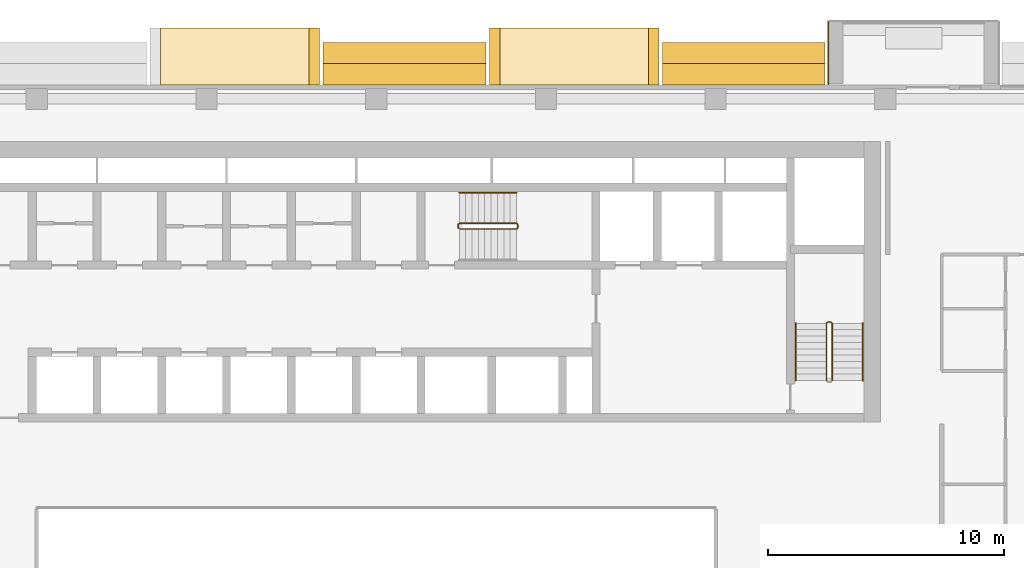
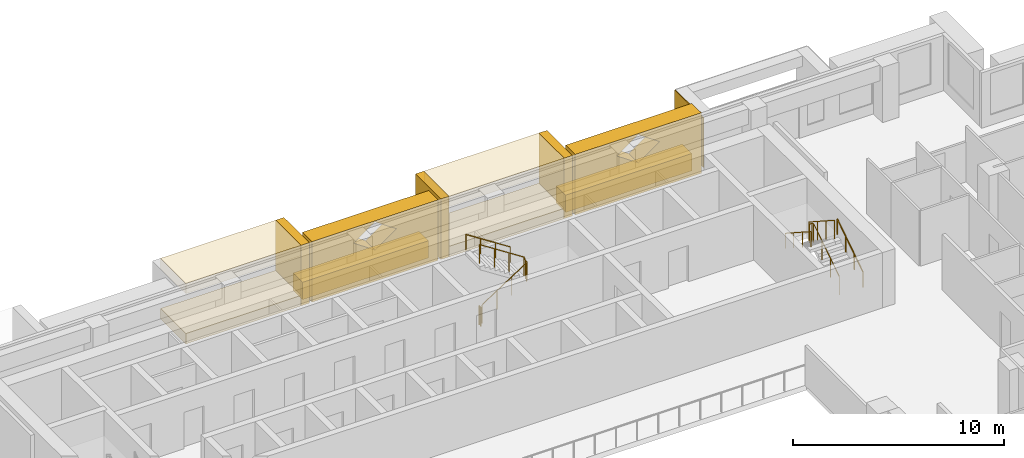
# One storey, part 18 of 19: 12 coverings, 6 railings.
"""IFC4 building model written with IfcOpenShell, lengths in metres."""

from ifc_helpers import new_model, si_unit, direction, frame, origin, origin_2d, place, context, subcontext, project, spatial, polyline, circle, outline, extrude, material, layer, layer_set, type_object, element, save


model = new_model("IFC4")

# Units and contexts
model_context = context("Model", 3, precision=1e-05, world=origin(), true_north=direction((0.0, 1.0)))
body_context = subcontext(model_context, "Body", "Model", "MODEL_VIEW")
ifc_project = project(units=[si_unit("LENGTHUNIT", "METRE"), si_unit("AREAUNIT", "SQUARE_METRE"), si_unit("VOLUMEUNIT", "CUBIC_METRE"), si_unit("PLANEANGLEUNIT", "RADIAN"), si_unit("MASSUNIT", "GRAM", prefix="KILO")], contexts=[model_context])

# Site, building, storey
site_placement = place(None, origin())
site = spatial("IfcSite", under=ifc_project, at=site_placement, CompositionType="ELEMENT")
building_placement = place(site_placement, origin())
building = spatial("IfcBuilding", under=site, at=building_placement, Name="Saffron Iwan Residences", CompositionType="ELEMENT")
storey_placement = place(building_placement, frame((0.0, 0.0, 120.0)))
storey = spatial("IfcBuildingStorey", under=building, at=storey_placement, Name="L31", CompositionType="ELEMENT", Elevation=120.0)

# Coverings
ifc_material_1 = material(Name="Precast concrete C40/50 white painted", Category="concrete")
ifc_layer_1 = layer(ifc_material_1, 0.050048828125)
ifc_layer_set_1 = layer_set([ifc_layer_1], Name="Precast concrete C40/50 white painted")
covering_type_1 = type_object("IfcCoveringType", Name="FRAME SKIN PRECAST WHITE 50", PredefinedType="CLADDING", material=ifc_layer_set_1)
covering_1_placement = place(storey_placement, origin())
element("IfcCovering", 1, at=covering_1_placement, inside=storey, type_object=covering_type_1, Name="Frame skin fin L31 F5-0b", PredefinedType="CLADDING", context=body_context, shape_type="SweptSolid", body=[
    extrude(outline(polyline([(69.60009765625, 83.10009765625), (69.550048828125, 83.10009765625), (69.550048828125, 80.39990234375), (69.60009765625, 80.39990234375), (69.60009765625, 83.10009765625)])), origin(), (0.0, 0.0, 1.0), 2.85009765625),
])
ifc_material_2 = material(Name="Precast concrete C40/50", Category="concrete")
covering_type_2 = type_object("IfcCoveringType", Name="OUTER SKIN LATTICE SCREEN", PredefinedType="CLADDING", material=ifc_material_2)
for number, where, z_axis, x_axis, name in (
    (2, (69.449951171875, 80.39990234375, -0.300048828125), (0.0, 1.0, 0.0), (-1.0, 0.0, 0.0), "OUTER SKIN lattice screen L31 F5.1"),
    (3, (55.050048828125, 80.39990234375, -0.300048828125), (0.0, 1.0, 0.0), (-1.0, 0.0, 0.0), "OUTER SKIN lattice screen L31 F5.2"),
):
    element("IfcCovering", number, at=place(storey_placement, frame(where, z_axis=z_axis, x_axis=x_axis)), inside=storey, type_object=covering_type_2, Name=name, PredefinedType="CLADDING", context=body_context, shape_type="SweptSolid", body=[
        extrude(outline(polyline([(0.0, 0.0), (6.89990234375, 0.0), (6.89990234375, 3.5), (0.0, 3.5), (0.0, 0.0)]), holes=[polyline([(2.27001953125, 2.625), (3.449951171875, 1.81005859375), (4.6298828125, 2.625), (3.449951171875, 3.43994140625), (2.27001953125, 2.625)])]), origin(), (0.0, 0.0, 1.0), 0.900146484375),
    ])

# Railings
ifc_material_3 = material(Name="Steel S355", Category="steel")
railing_type_1 = type_object("IfcRailingType", Name="Stair guard 1100", PredefinedType="GUARDRAIL", material=ifc_material_3)
railing_1_placement = place(storey_placement, frame((53.925048828125, 74.27490234375, 0.175048828125)))
element("IfcRailing", 4, at=railing_1_placement, inside=storey, type_object=railing_type_1, Name="L31 ST-C stair guard 1", PredefinedType="GUARDRAIL", context=body_context, shape_type="SweptSolid", body=[
    extrude(circle(Radius=0.02392578125, at=origin_2d()), frame((0.0, 0.0, 1.076171875), z_axis=(0.839153699163, 0.0, 0.543894354798), x_axis=(0.0, 1.0, 0.0)), (0.0, 0.0, 1.0), 2.895751953125),
    extrude(circle(Radius=0.02392578125, at=origin_2d()), frame((2.429931640625, 0.0, 2.65087890625), z_axis=(0.707106781187, 0.707106781187, 0.0), x_axis=(-0.707106781187, 0.707106781187, 0.0)), (0.0, 0.0, 1.0), 0.07080078125),
    extrude(circle(Radius=0.02392578125, at=origin_2d()), frame((2.47998046875, 0.050048828125, 2.65087890625), z_axis=(0.0, 1.0, 0.0), x_axis=(-1.0, 0.0, 0.0)), (0.0, 0.0, 1.0), 0.150146484375),
    extrude(circle(Radius=0.02392578125, at=origin_2d()), frame((2.47998046875, 0.2001953125, 2.65087890625), z_axis=(-0.265155923931, 0.263862480399, 0.927399011991), x_axis=(-0.705375805398, -0.708833529934, 0.0)), (0.0, 0.0, 1.0), 0.188720703125),
    extrude(circle(Radius=0.02392578125, at=origin_2d()), frame((2.429931640625, 0.25, 2.826171875), z_axis=(-0.839153699163, 0.0, 0.543894354798), x_axis=(0.0, -1.0, 0.0)), (0.0, 0.0, 1.0), 2.895751953125),
    extrude(circle(Radius=0.02099609375, at=origin_2d()), origin(), (0.0, 0.0, 1.0), 1.052001953125),
    extrude(circle(Radius=0.02099609375, at=origin_2d()), frame((0.81005859375, 0.0, 0.52490234375)), (0.0, 0.0, 1.0), 1.052001953125),
    extrude(circle(Radius=0.02099609375, at=origin_2d()), frame((1.619873046875, 0.0, 1.050048828125)), (0.0, 0.0, 1.0), 1.052001953125),
    extrude(circle(Radius=0.02099609375, at=origin_2d()), frame((2.429931640625, 0.0, 1.574951171875)), (0.0, 0.0, 1.0), 1.052001953125),
    extrude(circle(Radius=0.02099609375, at=origin_2d()), frame((2.47998046875, 0.050048828125, 1.574951171875)), (0.0, 0.0, 1.0), 1.052001953125),
    extrude(circle(Radius=0.02099609375, at=origin_2d()), frame((2.47998046875, 0.2001953125, 1.574951171875)), (0.0, 0.0, 1.0), 1.052001953125),
    extrude(circle(Radius=0.02099609375, at=origin_2d()), frame((2.429931640625, 0.25, 1.75)), (0.0, 0.0, 1.0), 1.052001953125),
    extrude(circle(Radius=0.02099609375, at=origin_2d()), frame((1.619873046875, 0.25, 2.27490234375)), (0.0, 0.0, 1.0), 1.052001953125),
    extrude(circle(Radius=0.02099609375, at=origin_2d()), frame((0.81005859375, 0.25, 2.800048828125)), (0.0, 0.0, 1.0), 1.052001953125),
    extrude(circle(Radius=0.02099609375, at=origin_2d()), frame((0.0, 0.25, 3.324951171875)), (0.0, 0.0, 1.0), 1.052001953125),
])
railing_2_placement = place(storey_placement, frame((53.875, 74.324951171875, 0.0)))
element("IfcRailing", 5, at=railing_2_placement, inside=storey, type_object=railing_type_1, Name="L31 ST-C stair guard 2", PredefinedType="GUARDRAIL", context=body_context, shape_type="SweptSolid", body=[
    extrude(circle(Radius=0.02392578125, at=origin_2d()), frame((0.0, 0.0, 1.076171875), z_axis=(0.0, 1.0, 0.0), x_axis=(-1.0, 0.0, 0.0)), (0.0, 0.0, 1.0), 0.150146484375),
    extrude(circle(Radius=0.02099609375, at=origin_2d()), origin(), (0.0, 0.0, 1.0), 1.052001953125),
    extrude(circle(Radius=0.02099609375, at=origin_2d()), frame((0.0, 0.150146484375, 0.0)), (0.0, 0.0, 1.0), 1.052001953125),
])
railing_3_placement = place(storey_placement, frame((69.75, 67.85009765625, 0.175048828125)))
element("IfcRailing", 6, at=railing_3_placement, inside=storey, type_object=railing_type_1, Name="L31 ST-E stair guard 1", PredefinedType="GUARDRAIL", context=body_context, shape_type="SweptSolid", body=[
    extrude(circle(Radius=0.02392578125, at=origin_2d()), frame((0.0, 0.0, 1.076171875), z_axis=(0.0, 0.839153699163, 0.543894354798), x_axis=(-1.0, 0.0, 0.0)), (0.0, 0.0, 1.0), 2.895751953125),
    extrude(circle(Radius=0.02392578125, at=origin_2d()), frame((0.0, 2.429931640625, 2.65087890625), z_axis=(-0.707106781187, 0.707106781187, 0.0), x_axis=(-0.707106781187, -0.707106781187, 0.0)), (0.0, 0.0, 1.0), 0.07080078125),
    extrude(circle(Radius=0.02392578125, at=origin_2d()), frame((-0.050048828125, 2.47998046875, 2.65087890625), z_axis=(-1.0, 0.0, 0.0), x_axis=(0.0, -1.0, 0.0)), (0.0, 0.0, 1.0), 0.14990234375),
    extrude(circle(Radius=0.02392578125, at=origin_2d()), frame((-0.199951171875, 2.47998046875, 2.65087890625), z_axis=(-0.265065253269, -0.265065253269, 0.927081885822), x_axis=(0.707106781187, -0.707106781187, 0.0)), (0.0, 0.0, 1.0), 0.188720703125),
    extrude(circle(Radius=0.02392578125, at=origin_2d()), frame((-0.25, 2.429931640625, 2.826171875), z_axis=(0.0, -0.839153699163, 0.543894354798), x_axis=(1.0, 0.0, 0.0)), (0.0, 0.0, 1.0), 2.895751953125),
    extrude(circle(Radius=0.02099609375, at=origin_2d()), origin(), (0.0, 0.0, 1.0), 1.052001953125),
    extrude(circle(Radius=0.02099609375, at=origin_2d()), frame((0.0, 0.81005859375, 0.52490234375)), (0.0, 0.0, 1.0), 1.052001953125),
    extrude(circle(Radius=0.02099609375, at=origin_2d()), frame((0.0, 1.619873046875, 1.050048828125)), (0.0, 0.0, 1.0), 1.052001953125),
    extrude(circle(Radius=0.02099609375, at=origin_2d()), frame((0.0, 2.429931640625, 1.574951171875)), (0.0, 0.0, 1.0), 1.052001953125),
    extrude(circle(Radius=0.02099609375, at=origin_2d()), frame((-0.050048828125, 2.47998046875, 1.574951171875)), (0.0, 0.0, 1.0), 1.052001953125),
    extrude(circle(Radius=0.02099609375, at=origin_2d()), frame((-0.199951171875, 2.47998046875, 1.574951171875)), (0.0, 0.0, 1.0), 1.052001953125),
    extrude(circle(Radius=0.02099609375, at=origin_2d()), frame((-0.25, 2.429931640625, 1.75)), (0.0, 0.0, 1.0), 1.052001953125),
    extrude(circle(Radius=0.02099609375, at=origin_2d()), frame((-0.25, 1.619873046875, 2.27490234375)), (0.0, 0.0, 1.0), 1.052001953125),
    extrude(circle(Radius=0.02099609375, at=origin_2d()), frame((-0.25, 0.81005859375, 2.800048828125)), (0.0, 0.0, 1.0), 1.052001953125),
    extrude(circle(Radius=0.02099609375, at=origin_2d()), frame((-0.25, 0.0, 3.324951171875)), (0.0, 0.0, 1.0), 1.052001953125),
])
ifc_material_4 = material(Name="Stainless steel 316", Category="steel")
railing_type_2 = type_object("IfcRailingType", Name="Stair handrail 900", PredefinedType="HANDRAIL", material=ifc_material_4)
railing_4_placement = place(storey_placement, frame((56.35498046875, 75.824951171875, 1.925048828125)))
element("IfcRailing", 7, at=railing_4_placement, inside=storey, type_object=railing_type_2, Name="L31 ST-C stair handrail 2", PredefinedType="HANDRAIL", context=body_context, shape_type="SweptSolid", body=[
    extrude(circle(Radius=0.02392578125, at=origin_2d()), frame((0.0, 0.0, 0.8759765625), z_axis=(-0.839153699163, 0.0, 0.543894354798), x_axis=(0.0, -1.0, 0.0)), (0.0, 0.0, 1.0), 2.895751953125),
    extrude(circle(Radius=0.02099609375, at=origin_2d()), origin(), (0.0, 0.0, 1.0), 0.851806640625),
    extrude(circle(Radius=0.02099609375, at=origin_2d()), frame((-0.81005859375, 0.0, 0.52490234375)), (0.0, 0.0, 1.0), 0.851806640625),
    extrude(circle(Radius=0.02099609375, at=origin_2d()), frame((-1.619873046875, 0.0, 1.050048828125)), (0.0, 0.0, 1.0), 0.851806640625),
    extrude(circle(Radius=0.02099609375, at=origin_2d()), frame((-2.429931640625, 0.0, 1.574951171875)), (0.0, 0.0, 1.0), 0.851806640625),
])
railing_5_placement = place(storey_placement, frame((71.050048828125, 67.85009765625, 0.175048828125)))
element("IfcRailing", 8, at=railing_5_placement, inside=storey, type_object=railing_type_2, Name="L31 ST-E stair handrail 1", PredefinedType="HANDRAIL", context=body_context, shape_type="SweptSolid", body=[
    extrude(circle(Radius=0.02392578125, at=origin_2d()), frame((0.0, 0.0, 0.8759765625), z_axis=(0.0, 0.839153699163, 0.543894354798), x_axis=(-1.0, 0.0, 0.0)), (0.0, 0.0, 1.0), 2.895751953125),
    extrude(circle(Radius=0.02099609375, at=origin_2d()), origin(), (0.0, 0.0, 1.0), 0.851806640625),
    extrude(circle(Radius=0.02099609375, at=origin_2d()), frame((0.0, 0.81005859375, 0.52490234375)), (0.0, 0.0, 1.0), 0.851806640625),
    extrude(circle(Radius=0.02099609375, at=origin_2d()), frame((0.0, 1.619873046875, 1.050048828125)), (0.0, 0.0, 1.0), 0.851806640625),
    extrude(circle(Radius=0.02099609375, at=origin_2d()), frame((0.0, 2.429931640625, 1.574951171875)), (0.0, 0.0, 1.0), 0.851806640625),
])
railing_6_placement = place(storey_placement, frame((68.199951171875, 70.280029296875, 1.925048828125)))
element("IfcRailing", 9, at=railing_6_placement, inside=storey, type_object=railing_type_2, Name="L31 ST-E stair handrail 2", PredefinedType="HANDRAIL", context=body_context, shape_type="SweptSolid", body=[
    extrude(circle(Radius=0.02392578125, at=origin_2d()), frame((0.0, 0.0, 0.8759765625), z_axis=(0.0, -0.839153699163, 0.543894354798), x_axis=(1.0, 0.0, 0.0)), (0.0, 0.0, 1.0), 2.895751953125),
    extrude(circle(Radius=0.02099609375, at=origin_2d()), origin(), (0.0, 0.0, 1.0), 0.851806640625),
    extrude(circle(Radius=0.02099609375, at=origin_2d()), frame((0.0, -0.81005859375, 0.52490234375)), (0.0, 0.0, 1.0), 0.851806640625),
    extrude(circle(Radius=0.02099609375, at=origin_2d()), frame((0.0, -1.619873046875, 1.050048828125)), (0.0, 0.0, 1.0), 0.851806640625),
    extrude(circle(Radius=0.02099609375, at=origin_2d()), frame((0.0, -2.429931640625, 1.574951171875)), (0.0, 0.0, 1.0), 0.851806640625),
])

# Coverings
ifc_layer_2 = layer(ifc_material_1, 0.89990234375)
ifc_layer_set_2 = layer_set([ifc_layer_2], Name="Precast concrete C40/50 white painted")
covering_type_3 = type_object("IfcCoveringType", Name="WHITE EDGE BAND 900 x 1000", PredefinedType="CLADDING", material=ifc_layer_set_2)
covering_2_placement = place(storey_placement, frame((0.0, 0.0, -0.699951171875)))
element("IfcCovering", 10, at=covering_2_placement, inside=storey, type_object=covering_type_3, Name="White edge band L31 F5.1", PredefinedType="CLADDING", context=body_context, shape_type="SweptSolid", body=[
    extrude(outline(polyline([(69.449951171875, 82.199951171875), (62.550048828125, 82.199951171875), (62.550048828125, 81.300048828125), (69.449951171875, 81.300048828125), (69.449951171875, 82.199951171875)])), origin(), (0.0, 0.0, 1.0), 1.0),
])
covering_3_placement = place(storey_placement, frame((0.0, 0.0, -0.699951171875)))
element("IfcCovering", 11, at=covering_3_placement, inside=storey, type_object=covering_type_3, Name="White edge band L31 F5.2", PredefinedType="CLADDING", context=body_context, shape_type="SweptSolid", body=[
    extrude(outline(polyline([(55.050048828125, 82.199951171875), (48.14990234375, 82.199951171875), (48.14990234375, 81.300048828125), (55.050048828125, 81.300048828125), (55.050048828125, 82.199951171875)])), origin(), (0.0, 0.0, 1.0), 1.0),
])
covering_type_4 = type_object("IfcCoveringType", Name="WHITE SUN FRAME PRECAST", PredefinedType="CLADDING", material=ifc_material_1)
for number, where, z_axis, x_axis, name in (
    (12, (62.39990234375, 80.39990234375, -0.300048828125), (0.0, 1.0, 0.0), (-1.0, 0.0, 0.0), "Sun frame L31 F5 20.4a"),
    (13, (55.64990234375, 80.39990234375, -0.300048828125), (0.0, 1.0, 0.0), (-1.0, 0.0, 0.0), "Sun frame L31 F5 20.4b"),
):
    element("IfcCovering", number, at=place(storey_placement, frame(where, z_axis=z_axis, x_axis=x_axis)), inside=storey, type_object=covering_type_4, Name=name, PredefinedType="CLADDING", context=body_context, shape_type="SweptSolid", body=[
        extrude(outline(polyline([(0.0, 0.0), (0.449951171875, 0.0), (0.449951171875, 3.5), (0.0, 3.5), (0.0, 0.0)])), origin(), (0.0, 0.0, 1.0), 2.400146484375),
    ])
for number, where, z_axis, x_axis, name in (
    (14, (61.949951171875, 80.39990234375, 2.60009765625), (0.0, 1.0, 0.0), (-1.0, 0.0, 0.0), "Sun frame L31 F5 20.4h"),
    (15, (61.949951171875, 80.39990234375, -0.300048828125), (0.0, 1.0, 0.0), (-1.0, 0.0, 0.0), "Sun frame L31 F5 20.4s"),
):
    element("IfcCovering", number, at=place(storey_placement, frame(where, z_axis=z_axis, x_axis=x_axis)), inside=storey, type_object=covering_type_4, Name=name, PredefinedType="CLADDING", context=body_context, shape_type="SweptSolid", body=[
        extrude(outline(polyline([(0.0, 0.0), (6.300048828125, 0.0), (6.300048828125, 0.60009765625), (0.0, 0.60009765625), (0.0, 0.0)])), origin(), (0.0, 0.0, 1.0), 2.400146484375),
    ])
covering_4_placement = place(storey_placement, frame((48.0, 80.39990234375, -0.300048828125), z_axis=(0.0, 1.0, 0.0), x_axis=(-1.0, 0.0, 0.0)))
element("IfcCovering", 16, at=covering_4_placement, inside=storey, type_object=covering_type_4, Name="Sun frame L31 F5 34.8a", PredefinedType="CLADDING", context=body_context, shape_type="SweptSolid", body=[
    extrude(outline(polyline([(0.0, 0.0), (0.449951171875, 0.0), (0.449951171875, 3.5), (0.0, 3.5), (0.0, 0.0)])), origin(), (0.0, 0.0, 1.0), 2.400146484375),
])
for number, where, z_axis, x_axis, name in (
    (17, (47.550048828125, 80.39990234375, 2.60009765625), (0.0, 1.0, 0.0), (-1.0, 0.0, 0.0), "Sun frame L31 F5 34.8h"),
    (18, (47.550048828125, 80.39990234375, -0.300048828125), (0.0, 1.0, 0.0), (-1.0, 0.0, 0.0), "Sun frame L31 F5 34.8s"),
):
    element("IfcCovering", number, at=place(storey_placement, frame(where, z_axis=z_axis, x_axis=x_axis)), inside=storey, type_object=covering_type_4, Name=name, PredefinedType="CLADDING", context=body_context, shape_type="SweptSolid", body=[
        extrude(outline(polyline([(0.0, 0.0), (6.300048828125, 0.0), (6.300048828125, 0.60009765625), (0.0, 0.60009765625), (0.0, 0.0)])), origin(), (0.0, 0.0, 1.0), 2.400146484375),
    ])

save(model, "model.ifc")
